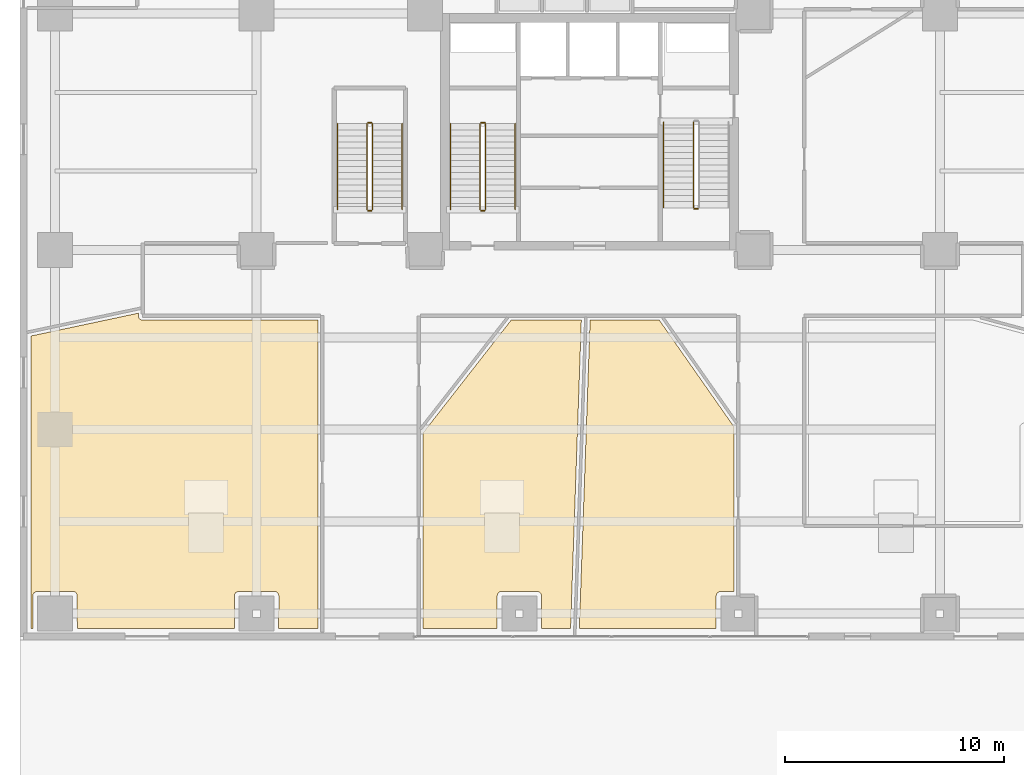
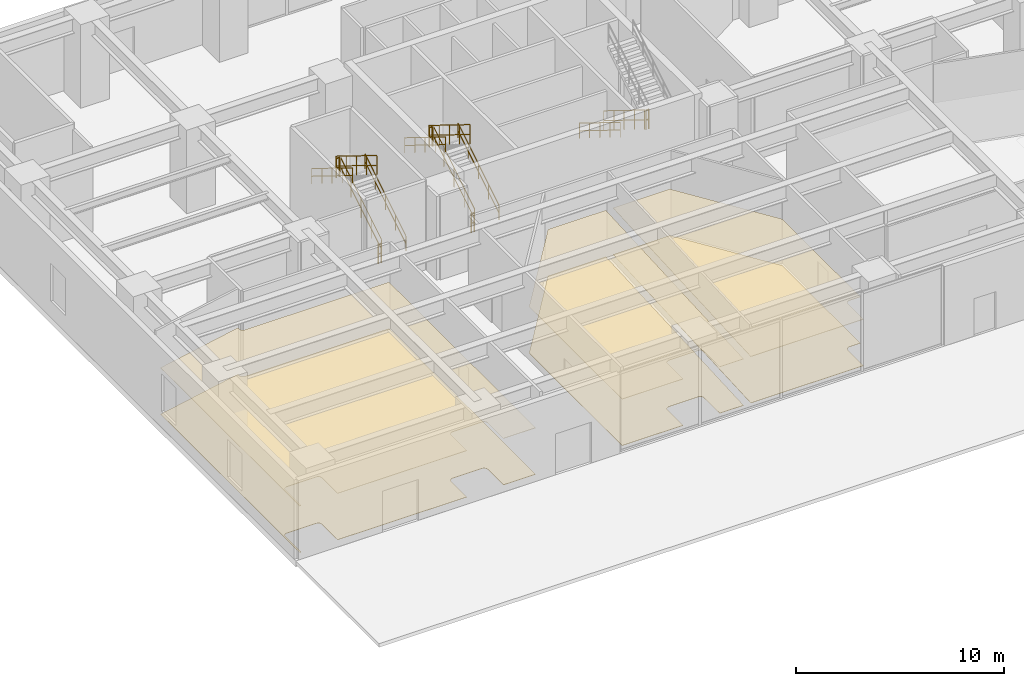
# One storey, part 24 of 28: 15 railings, 6 coverings.
"""IFC4 building model written with IfcOpenShell, lengths in metres."""

from ifc_helpers import new_model, si_unit, direction, frame, origin, origin_2d, place, context, subcontext, project, spatial, polyline, circle, outline, extrude, material, layer, layer_set, type_object, element, save


model = new_model("IFC4")

# Units and contexts
model_context = context("Model", 3, precision=1e-05, world=origin(), true_north=direction((0.0, 1.0)))
body_context = subcontext(model_context, "Body", "Model", "MODEL_VIEW")
ifc_project = project(units=[si_unit("LENGTHUNIT", "METRE"), si_unit("AREAUNIT", "SQUARE_METRE"), si_unit("VOLUMEUNIT", "CUBIC_METRE"), si_unit("PLANEANGLEUNIT", "RADIAN"), si_unit("MASSUNIT", "GRAM", prefix="KILO")], contexts=[model_context])

# Site, building, storey
site_placement = place(None, origin())
site = spatial("IfcSite", under=ifc_project, at=site_placement, CompositionType="ELEMENT")
building_placement = place(site_placement, origin())
building = spatial("IfcBuilding", under=site, at=building_placement, Name="Talar Marvaseh", CompositionType="ELEMENT")
storey_placement = place(building_placement, origin())
storey = spatial("IfcBuildingStorey", under=building, at=storey_placement, Name="L00", CompositionType="ELEMENT", Elevation=0.0)

# Railings
ifc_material_1 = material(Name="Stainless Steel Grade 316", Category="steel")
railing_type_1 = type_object("IfcRailingType", Name="Brushed Stainless Wall Pitch Handrail 900", PredefinedType="HANDRAIL", material=ifc_material_1)
railing_1_placement = place(storey_placement, frame((22.610107421875, 27.64990234375, 0.17333984375)))
element("IfcRailing", 1, at=railing_1_placement, inside=storey, type_object=railing_type_1, Name="L00 ST-1 stair handrail 1", PredefinedType="HANDRAIL", context=body_context, shape_type="SweptSolid", body=[
    extrude(circle(Radius=0.02392578125, at=origin_2d()), frame((0.0, 0.0, 0.8759765625), z_axis=(0.0, 0.850266275192, 0.526352791643), x_axis=(-1.0, 0.0, 0.0)), (0.0, 0.0, 1.0), 4.610595703125),
    extrude(circle(Radius=0.02392578125, at=origin_2d()), frame((0.0, 0.0, 0.42578125), z_axis=(0.0, 0.850266275192, 0.526352791643), x_axis=(-1.0, 0.0, 0.0)), (0.0, 0.0, 1.0), 4.610595703125),
    extrude(circle(Radius=0.02099609375, at=origin_2d()), origin(), (0.0, 0.0, 1.0), 0.851806640625),
    extrude(circle(Radius=0.02099609375, at=origin_2d()), frame((0.0, 0.97998046875, 0.606689453125)), (0.0, 0.0, 1.0), 0.851806640625),
    extrude(circle(Radius=0.02099609375, at=origin_2d()), frame((0.0, 1.9599609375, 1.21337890625)), (0.0, 0.0, 1.0), 0.851806640625),
    extrude(circle(Radius=0.02099609375, at=origin_2d()), frame((0.0, 2.940185546875, 1.820068359375)), (0.0, 0.0, 1.0), 0.851806640625),
    extrude(circle(Radius=0.02099609375, at=origin_2d()), frame((0.0, 3.920166015625, 2.4267578125)), (0.0, 0.0, 1.0), 0.851806640625),
])
railing_2_placement = place(storey_placement, frame((19.64990234375, 31.570068359375, 2.7734375)))
element("IfcRailing", 2, at=railing_2_placement, inside=storey, type_object=railing_type_1, Name="L00 ST-1 stair handrail 2", PredefinedType="HANDRAIL", context=body_context, shape_type="SweptSolid", body=[
    extrude(circle(Radius=0.02392578125, at=origin_2d()), frame((0.0, 0.0, 0.8759765625), z_axis=(0.0, -0.850289973577, 0.526314507528), x_axis=(1.0, 0.0, 0.0)), (0.0, 0.0, 1.0), 4.6103515625),
    extrude(circle(Radius=0.02392578125, at=origin_2d()), frame((0.0, 0.0, 0.42578125), z_axis=(0.0, -0.850289973577, 0.526314507528), x_axis=(1.0, 0.0, 0.0)), (0.0, 0.0, 1.0), 4.6103515625),
    extrude(circle(Radius=0.02099609375, at=origin_2d()), origin(), (0.0, 0.0, 1.0), 0.851806640625),
    extrude(circle(Radius=0.02099609375, at=origin_2d()), frame((0.0, -0.97998046875, 0.606689453125)), (0.0, 0.0, 1.0), 0.851806640625),
    extrude(circle(Radius=0.02099609375, at=origin_2d()), frame((0.0, -1.9599609375, 1.21337890625)), (0.0, 0.0, 1.0), 0.851806640625),
    extrude(circle(Radius=0.02099609375, at=origin_2d()), frame((0.0, -2.940185546875, 1.81982421875)), (0.0, 0.0, 1.0), 0.851806640625),
    extrude(circle(Radius=0.02099609375, at=origin_2d()), frame((0.0, -3.920166015625, 2.426513671875)), (0.0, 0.0, 1.0), 0.851806640625),
])
railing_3_placement = place(storey_placement, frame((29.389892578125, 31.64990234375, 0.17333984375)))
element("IfcRailing", 3, at=railing_3_placement, inside=storey, type_object=railing_type_1, Name="L00 ST-2 stair handrail 1", PredefinedType="HANDRAIL", context=body_context, shape_type="SweptSolid", body=[
    extrude(circle(Radius=0.02392578125, at=origin_2d()), frame((0.0, 0.0, 0.8759765625), z_axis=(0.0, -0.850251603719, 0.526376491091), x_axis=(1.0, 0.0, 0.0)), (0.0, 0.0, 1.0), 4.6103515625),
    extrude(circle(Radius=0.02392578125, at=origin_2d()), frame((0.0, 0.0, 0.42578125), z_axis=(0.0, -0.850251603719, 0.526376491091), x_axis=(1.0, 0.0, 0.0)), (0.0, 0.0, 1.0), 4.6103515625),
    extrude(circle(Radius=0.02099609375, at=origin_2d()), origin(), (0.0, 0.0, 1.0), 0.851806640625),
    extrude(circle(Radius=0.02099609375, at=origin_2d()), frame((0.0, -0.97998046875, 0.606689453125)), (0.0, 0.0, 1.0), 0.851806640625),
    extrude(circle(Radius=0.02099609375, at=origin_2d()), frame((0.0, -1.9599609375, 1.21337890625)), (0.0, 0.0, 1.0), 0.851806640625),
    extrude(circle(Radius=0.02099609375, at=origin_2d()), frame((0.0, -2.93994140625, 1.820068359375)), (0.0, 0.0, 1.0), 0.851806640625),
    extrude(circle(Radius=0.02099609375, at=origin_2d()), frame((0.0, -3.919921875, 2.4267578125)), (0.0, 0.0, 1.0), 0.851806640625),
])
railing_4_placement = place(storey_placement, frame((17.449951171875, 27.64990234375, 0.17333984375)))
element("IfcRailing", 4, at=railing_4_placement, inside=storey, type_object=railing_type_1, Name="L00 ST-3 stair handrail 1", PredefinedType="HANDRAIL", context=body_context, shape_type="SweptSolid", body=[
    extrude(circle(Radius=0.02392578125, at=origin_2d()), frame((0.0, 0.0, 0.8759765625), z_axis=(0.0, 0.850266275192, 0.526352791643), x_axis=(-1.0, 0.0, 0.0)), (0.0, 0.0, 1.0), 4.610595703125),
    extrude(circle(Radius=0.02392578125, at=origin_2d()), frame((0.0, 0.0, 0.42578125), z_axis=(0.0, 0.850266275192, 0.526352791643), x_axis=(-1.0, 0.0, 0.0)), (0.0, 0.0, 1.0), 4.610595703125),
    extrude(circle(Radius=0.02099609375, at=origin_2d()), origin(), (0.0, 0.0, 1.0), 0.851806640625),
    extrude(circle(Radius=0.02099609375, at=origin_2d()), frame((0.0, 0.97998046875, 0.606689453125)), (0.0, 0.0, 1.0), 0.851806640625),
    extrude(circle(Radius=0.02099609375, at=origin_2d()), frame((0.0, 1.9599609375, 1.21337890625)), (0.0, 0.0, 1.0), 0.851806640625),
    extrude(circle(Radius=0.02099609375, at=origin_2d()), frame((0.0, 2.940185546875, 1.820068359375)), (0.0, 0.0, 1.0), 0.851806640625),
    extrude(circle(Radius=0.02099609375, at=origin_2d()), frame((0.0, 3.920166015625, 2.4267578125)), (0.0, 0.0, 1.0), 0.851806640625),
])
railing_5_placement = place(storey_placement, frame((14.489990234375, 31.570068359375, 2.7734375)))
element("IfcRailing", 5, at=railing_5_placement, inside=storey, type_object=railing_type_1, Name="L00 ST-3 stair handrail 2", PredefinedType="HANDRAIL", context=body_context, shape_type="SweptSolid", body=[
    extrude(circle(Radius=0.02392578125, at=origin_2d()), frame((0.0, 0.0, 0.8759765625), z_axis=(0.0, -0.850289973577, 0.526314507528), x_axis=(1.0, 0.0, 0.0)), (0.0, 0.0, 1.0), 4.6103515625),
    extrude(circle(Radius=0.02392578125, at=origin_2d()), frame((0.0, 0.0, 0.42578125), z_axis=(0.0, -0.850289973577, 0.526314507528), x_axis=(1.0, 0.0, 0.0)), (0.0, 0.0, 1.0), 4.6103515625),
    extrude(circle(Radius=0.02099609375, at=origin_2d()), origin(), (0.0, 0.0, 1.0), 0.851806640625),
    extrude(circle(Radius=0.02099609375, at=origin_2d()), frame((0.0, -0.97998046875, 0.606689453125)), (0.0, 0.0, 1.0), 0.851806640625),
    extrude(circle(Radius=0.02099609375, at=origin_2d()), frame((0.0, -1.9599609375, 1.21337890625)), (0.0, 0.0, 1.0), 0.851806640625),
    extrude(circle(Radius=0.02099609375, at=origin_2d()), frame((0.0, -2.940185546875, 1.81982421875)), (0.0, 0.0, 1.0), 0.851806640625),
    extrude(circle(Radius=0.02099609375, at=origin_2d()), frame((0.0, -3.920166015625, 2.426513671875)), (0.0, 0.0, 1.0), 0.851806640625),
])
railing_type_2 = type_object("IfcRailingType", Name="Painted Steel Core Stair Well Guardrail 1150", PredefinedType="GUARDRAIL", material=ifc_material_1)
railing_6_placement = place(storey_placement, frame((21.260009765625, 27.64990234375, 0.17333984375)))
element("IfcRailing", 6, at=railing_6_placement, inside=storey, type_object=railing_type_2, Name="L00 ST-1 stair guard 1", PredefinedType="GUARDRAIL", context=body_context, shape_type="SweptSolid", body=[
    extrude(circle(Radius=0.02392578125, at=origin_2d()), frame((0.0, 0.0, 1.1259765625), z_axis=(0.0, 0.850266275192, 0.526352791643), x_axis=(-1.0, 0.0, 0.0)), (0.0, 0.0, 1.0), 4.610595703125),
    extrude(circle(Radius=0.02392578125, at=origin_2d()), frame((0.0, 0.0, 0.55078125), z_axis=(0.0, 0.850266275192, 0.526352791643), x_axis=(-1.0, 0.0, 0.0)), (0.0, 0.0, 1.0), 4.610595703125),
    extrude(circle(Radius=0.02099609375, at=origin_2d()), origin(), (0.0, 0.0, 1.0), 1.101806640625),
    extrude(circle(Radius=0.02099609375, at=origin_2d()), frame((0.0, 0.97998046875, 0.606689453125)), (0.0, 0.0, 1.0), 1.101806640625),
    extrude(circle(Radius=0.02099609375, at=origin_2d()), frame((0.0, 1.9599609375, 1.21337890625)), (0.0, 0.0, 1.0), 1.101806640625),
    extrude(circle(Radius=0.02099609375, at=origin_2d()), frame((0.0, 2.940185546875, 1.820068359375)), (0.0, 0.0, 1.0), 1.101806640625),
    extrude(circle(Radius=0.02099609375, at=origin_2d()), frame((0.0, 3.920166015625, 2.4267578125)), (0.0, 0.0, 1.0), 1.101806640625),
])
railing_7_placement = place(storey_placement, frame((21.2099609375, 31.6201171875, 2.60009765625)))
element("IfcRailing", 7, at=railing_7_placement, inside=storey, type_object=railing_type_2, Name="L00 ST-1 stair guard 2", PredefinedType="GUARDRAIL", context=body_context, shape_type="SweptSolid", body=[
    extrude(circle(Radius=0.02392578125, at=origin_2d()), frame((0.0, 0.0, 1.1259765625), z_axis=(-1.0, 0.0, 0.0), x_axis=(0.0, -1.0, 0.0)), (0.0, 0.0, 1.0), 0.159912109375),
    extrude(circle(Radius=0.02392578125, at=origin_2d()), frame((0.0, 0.0, 0.55078125), z_axis=(-1.0, 0.0, 0.0), x_axis=(0.0, -1.0, 0.0)), (0.0, 0.0, 1.0), 0.159912109375),
    extrude(circle(Radius=0.02099609375, at=origin_2d()), origin(), (0.0, 0.0, 1.0), 1.101806640625),
    extrude(circle(Radius=0.02099609375, at=origin_2d()), frame((-0.159912109375, 0.0, 0.0)), (0.0, 0.0, 1.0), 1.101806640625),
])
railing_8_placement = place(storey_placement, frame((21.0, 31.570068359375, 2.7734375)))
element("IfcRailing", 8, at=railing_8_placement, inside=storey, type_object=railing_type_2, Name="L00 ST-1 stair guard 3", PredefinedType="GUARDRAIL", context=body_context, shape_type="SweptSolid", body=[
    extrude(circle(Radius=0.02392578125, at=origin_2d()), frame((0.0, 0.0, 1.1259765625), z_axis=(0.0, -0.850289973577, 0.526314507528), x_axis=(1.0, 0.0, 0.0)), (0.0, 0.0, 1.0), 4.6103515625),
    extrude(circle(Radius=0.02392578125, at=origin_2d()), frame((0.0, 0.0, 0.55078125), z_axis=(0.0, -0.850289973577, 0.526314507528), x_axis=(1.0, 0.0, 0.0)), (0.0, 0.0, 1.0), 4.6103515625),
    extrude(circle(Radius=0.02099609375, at=origin_2d()), origin(), (0.0, 0.0, 1.0), 1.101806640625),
    extrude(circle(Radius=0.02099609375, at=origin_2d()), frame((0.0, -0.97998046875, 0.606689453125)), (0.0, 0.0, 1.0), 1.101806640625),
    extrude(circle(Radius=0.02099609375, at=origin_2d()), frame((0.0, -1.9599609375, 1.21337890625)), (0.0, 0.0, 1.0), 1.101806640625),
    extrude(circle(Radius=0.02099609375, at=origin_2d()), frame((0.0, -2.940185546875, 1.81982421875)), (0.0, 0.0, 1.0), 1.101806640625),
    extrude(circle(Radius=0.02099609375, at=origin_2d()), frame((0.0, -3.920166015625, 2.426513671875)), (0.0, 0.0, 1.0), 1.101806640625),
])
railing_9_placement = place(storey_placement, frame((21.2099609375, 27.60009765625, 0.0)))
element("IfcRailing", 9, at=railing_9_placement, inside=storey, type_object=railing_type_2, Name="L00 ST-1 stair guard 4", PredefinedType="GUARDRAIL", context=body_context, shape_type="SweptSolid", body=[
    extrude(circle(Radius=0.02392578125, at=origin_2d()), frame((0.0, 0.0, 1.1259765625), z_axis=(-1.0, 0.0, 0.0), x_axis=(0.0, -1.0, 0.0)), (0.0, 0.0, 1.0), 0.159912109375),
    extrude(circle(Radius=0.02392578125, at=origin_2d()), frame((0.0, 0.0, 0.55078125), z_axis=(-1.0, 0.0, 0.0), x_axis=(0.0, -1.0, 0.0)), (0.0, 0.0, 1.0), 0.159912109375),
    extrude(circle(Radius=0.02099609375, at=origin_2d()), origin(), (0.0, 0.0, 1.0), 1.101806640625),
    extrude(circle(Radius=0.02099609375, at=origin_2d()), frame((-0.159912109375, 0.0, 0.0)), (0.0, 0.0, 1.0), 1.101806640625),
])
railing_10_placement = place(storey_placement, frame((30.739990234375, 31.64990234375, 0.17333984375)))
element("IfcRailing", 10, at=railing_10_placement, inside=storey, type_object=railing_type_2, Name="L00 ST-2 stair guard 1", PredefinedType="GUARDRAIL", context=body_context, shape_type="SweptSolid", body=[
    extrude(circle(Radius=0.02392578125, at=origin_2d()), frame((0.0, 0.0, 1.1259765625), z_axis=(0.0, -0.850251603719, 0.526376491091), x_axis=(1.0, 0.0, 0.0)), (0.0, 0.0, 1.0), 4.6103515625),
    extrude(circle(Radius=0.02392578125, at=origin_2d()), frame((0.0, 0.0, 0.55078125), z_axis=(0.0, -0.850251603719, 0.526376491091), x_axis=(1.0, 0.0, 0.0)), (0.0, 0.0, 1.0), 4.6103515625),
    extrude(circle(Radius=0.02099609375, at=origin_2d()), origin(), (0.0, 0.0, 1.0), 1.101806640625),
    extrude(circle(Radius=0.02099609375, at=origin_2d()), frame((0.0, -0.97998046875, 0.606689453125)), (0.0, 0.0, 1.0), 1.101806640625),
    extrude(circle(Radius=0.02099609375, at=origin_2d()), frame((0.0, -1.9599609375, 1.21337890625)), (0.0, 0.0, 1.0), 1.101806640625),
    extrude(circle(Radius=0.02099609375, at=origin_2d()), frame((0.0, -2.93994140625, 1.820068359375)), (0.0, 0.0, 1.0), 1.101806640625),
    extrude(circle(Radius=0.02099609375, at=origin_2d()), frame((0.0, -3.919921875, 2.4267578125)), (0.0, 0.0, 1.0), 1.101806640625),
])
railing_11_placement = place(storey_placement, frame((30.7900390625, 27.679931640625, 2.60009765625)))
element("IfcRailing", 11, at=railing_11_placement, inside=storey, type_object=railing_type_2, Name="L00 ST-2 stair guard 2", PredefinedType="GUARDRAIL", context=body_context, shape_type="SweptSolid", body=[
    extrude(circle(Radius=0.02392578125, at=origin_2d()), frame((0.0, 0.0, 1.1259765625), z_axis=(1.0, 0.0, 0.0), x_axis=(0.0, 1.0, 0.0)), (0.0, 0.0, 1.0), 0.159912109375),
    extrude(circle(Radius=0.02392578125, at=origin_2d()), frame((0.0, 0.0, 0.55078125), z_axis=(1.0, 0.0, 0.0), x_axis=(0.0, 1.0, 0.0)), (0.0, 0.0, 1.0), 0.159912109375),
    extrude(circle(Radius=0.02099609375, at=origin_2d()), origin(), (0.0, 0.0, 1.0), 1.101806640625),
    extrude(circle(Radius=0.02099609375, at=origin_2d()), frame((0.159912109375, 0.0, 0.0)), (0.0, 0.0, 1.0), 1.101806640625),
])
railing_12_placement = place(storey_placement, frame((16.10009765625, 27.64990234375, 0.17333984375)))
element("IfcRailing", 12, at=railing_12_placement, inside=storey, type_object=railing_type_2, Name="L00 ST-3 stair guard 1", PredefinedType="GUARDRAIL", context=body_context, shape_type="SweptSolid", body=[
    extrude(circle(Radius=0.02392578125, at=origin_2d()), frame((0.0, 0.0, 1.1259765625), z_axis=(0.0, 0.850266275192, 0.526352791643), x_axis=(-1.0, 0.0, 0.0)), (0.0, 0.0, 1.0), 4.610595703125),
    extrude(circle(Radius=0.02392578125, at=origin_2d()), frame((0.0, 0.0, 0.55078125), z_axis=(0.0, 0.850266275192, 0.526352791643), x_axis=(-1.0, 0.0, 0.0)), (0.0, 0.0, 1.0), 4.610595703125),
    extrude(circle(Radius=0.02099609375, at=origin_2d()), origin(), (0.0, 0.0, 1.0), 1.101806640625),
    extrude(circle(Radius=0.02099609375, at=origin_2d()), frame((0.0, 0.97998046875, 0.606689453125)), (0.0, 0.0, 1.0), 1.101806640625),
    extrude(circle(Radius=0.02099609375, at=origin_2d()), frame((0.0, 1.9599609375, 1.21337890625)), (0.0, 0.0, 1.0), 1.101806640625),
    extrude(circle(Radius=0.02099609375, at=origin_2d()), frame((0.0, 2.940185546875, 1.820068359375)), (0.0, 0.0, 1.0), 1.101806640625),
    extrude(circle(Radius=0.02099609375, at=origin_2d()), frame((0.0, 3.920166015625, 2.4267578125)), (0.0, 0.0, 1.0), 1.101806640625),
])
railing_13_placement = place(storey_placement, frame((16.050048828125, 31.6201171875, 2.60009765625)))
element("IfcRailing", 13, at=railing_13_placement, inside=storey, type_object=railing_type_2, Name="L00 ST-3 stair guard 2", PredefinedType="GUARDRAIL", context=body_context, shape_type="SweptSolid", body=[
    extrude(circle(Radius=0.02392578125, at=origin_2d()), frame((0.0, 0.0, 1.1259765625), z_axis=(-1.0, 0.0, 0.0), x_axis=(0.0, -1.0, 0.0)), (0.0, 0.0, 1.0), 0.16015625),
    extrude(circle(Radius=0.02392578125, at=origin_2d()), frame((0.0, 0.0, 0.55078125), z_axis=(-1.0, 0.0, 0.0), x_axis=(0.0, -1.0, 0.0)), (0.0, 0.0, 1.0), 0.16015625),
    extrude(circle(Radius=0.02099609375, at=origin_2d()), origin(), (0.0, 0.0, 1.0), 1.101806640625),
    extrude(circle(Radius=0.02099609375, at=origin_2d()), frame((-0.16015625, 0.0, 0.0)), (0.0, 0.0, 1.0), 1.101806640625),
])
railing_14_placement = place(storey_placement, frame((15.840087890625, 31.570068359375, 2.7734375)))
element("IfcRailing", 14, at=railing_14_placement, inside=storey, type_object=railing_type_2, Name="L00 ST-3 stair guard 3", PredefinedType="GUARDRAIL", context=body_context, shape_type="SweptSolid", body=[
    extrude(circle(Radius=0.02392578125, at=origin_2d()), frame((0.0, 0.0, 1.1259765625), z_axis=(0.0, -0.850289973577, 0.526314507528), x_axis=(1.0, 0.0, 0.0)), (0.0, 0.0, 1.0), 4.6103515625),
    extrude(circle(Radius=0.02392578125, at=origin_2d()), frame((0.0, 0.0, 0.55078125), z_axis=(0.0, -0.850289973577, 0.526314507528), x_axis=(1.0, 0.0, 0.0)), (0.0, 0.0, 1.0), 4.6103515625),
    extrude(circle(Radius=0.02099609375, at=origin_2d()), origin(), (0.0, 0.0, 1.0), 1.101806640625),
    extrude(circle(Radius=0.02099609375, at=origin_2d()), frame((0.0, -0.97998046875, 0.606689453125)), (0.0, 0.0, 1.0), 1.101806640625),
    extrude(circle(Radius=0.02099609375, at=origin_2d()), frame((0.0, -1.9599609375, 1.21337890625)), (0.0, 0.0, 1.0), 1.101806640625),
    extrude(circle(Radius=0.02099609375, at=origin_2d()), frame((0.0, -2.940185546875, 1.81982421875)), (0.0, 0.0, 1.0), 1.101806640625),
    extrude(circle(Radius=0.02099609375, at=origin_2d()), frame((0.0, -3.920166015625, 2.426513671875)), (0.0, 0.0, 1.0), 1.101806640625),
])
railing_15_placement = place(storey_placement, frame((16.050048828125, 27.60009765625, 0.0)))
element("IfcRailing", 15, at=railing_15_placement, inside=storey, type_object=railing_type_2, Name="L00 ST-3 stair guard 4", PredefinedType="GUARDRAIL", context=body_context, shape_type="SweptSolid", body=[
    extrude(circle(Radius=0.02392578125, at=origin_2d()), frame((0.0, 0.0, 1.1259765625), z_axis=(-1.0, 0.0, 0.0), x_axis=(0.0, -1.0, 0.0)), (0.0, 0.0, 1.0), 0.16015625),
    extrude(circle(Radius=0.02392578125, at=origin_2d()), frame((0.0, 0.0, 0.55078125), z_axis=(-1.0, 0.0, 0.0), x_axis=(0.0, -1.0, 0.0)), (0.0, 0.0, 1.0), 0.16015625),
    extrude(circle(Radius=0.02099609375, at=origin_2d()), origin(), (0.0, 0.0, 1.0), 1.101806640625),
    extrude(circle(Radius=0.02099609375, at=origin_2d()), frame((-0.16015625, 0.0, 0.0)), (0.0, 0.0, 1.0), 1.101806640625),
])

# Coverings
ifc_material_2 = material(Name="Mineral Fibre Acoustic Ceiling")
ifc_layer_1 = layer(ifc_material_2, 0.02490234375)
ifc_layer_set_1 = layer_set([ifc_layer_1], Name="Mineral Fibre Acoustic Ceiling")
covering_type_1 = type_object("IfcCoveringType", Name="Perforated Mineral Fibre Acoustic Suspended Ceiling", PredefinedType="CEILING", material=ifc_layer_set_1)
covering_1_placement = place(storey_placement, frame((0.0, 0.0, 2.719970703125)))
element("IfcCovering", 16, at=covering_1_placement, inside=storey, type_object=covering_type_1, Name="L00 Metro Station Ground Concourse Acoustic Ceiling", PredefinedType="CEILING", context=body_context, shape_type="SweptSolid", body=[
    extrude(outline(polyline([(5.39990234375, 22.916748046875), (5.39990234375, 22.800048828125), (5.40087890625, 22.780517578125), (5.40380859375, 22.760986328125), (5.40869140625, 22.741943359375), (5.415283203125, 22.723388671875), (5.423583984375, 22.705810546875), (5.43359375, 22.68896484375), (5.4453125, 22.673095703125), (5.45849609375, 22.65869140625), (5.47314453125, 22.6455078125), (5.489013671875, 22.6337890625), (5.505615234375, 22.62353515625), (5.5234375, 22.615234375), (5.5419921875, 22.608642578125), (5.56103515625, 22.603759765625), (5.580322265625, 22.60107421875), (5.60009765625, 22.60009765625), (13.60009765625, 22.60009765625), (13.60009765625, 8.510009765625), (11.81201171875, 8.510009765625), (11.81494140625, 9.99951171875), (11.814208984375, 10.017578125), (11.811767578125, 10.035400390625), (11.807861328125, 10.052978515625), (11.80224609375, 10.0703125), (11.795166015625, 10.0869140625), (11.78662109375, 10.102783203125), (11.77880859375, 10.115966796875), (11.76708984375, 10.133056640625), (11.754150390625, 10.14892578125), (11.7392578125, 10.1630859375), (11.72314453125, 10.176025390625), (11.705810546875, 10.18701171875), (11.6875, 10.1962890625), (11.668212890625, 10.20361328125), (11.648193359375, 10.208984375), (11.6279296875, 10.212158203125), (11.607421875, 10.213134765625), (10.000244140625, 10.215087890625), (9.982421875, 10.214111328125), (9.96484375, 10.2119140625), (9.947509765625, 10.2080078125), (9.9306640625, 10.20263671875), (9.914306640625, 10.19580078125), (9.902587890625, 10.190185546875), (9.884765625, 10.180419921875), (9.86767578125, 10.1689453125), (9.85205078125, 10.15576171875), (9.837890625, 10.14111328125), (9.8251953125, 10.125), (9.814208984375, 10.107666015625), (9.804931640625, 10.08935546875), (9.7978515625, 10.070068359375), (9.79248046875, 10.05029296875), (9.78955078125, 10.030029296875), (9.788330078125, 10.009521484375), (9.78759765625, 8.510009765625), (2.61474609375, 8.510009765625), (2.610595703125, 10.010986328125), (2.609619140625, 10.03076171875), (2.606689453125, 10.050048828125), (2.601806640625, 10.069091796875), (2.59521484375, 10.08740234375), (2.5869140625, 10.105224609375), (2.57666015625, 10.1220703125), (2.56494140625, 10.1376953125), (2.5517578125, 10.152099609375), (2.537353515625, 10.165283203125), (2.521484375, 10.177001953125), (2.504638671875, 10.18701171875), (2.487060546875, 10.1953125), (2.468505859375, 10.201904296875), (2.44970703125, 10.206787109375), (2.43017578125, 10.209716796875), (2.41064453125, 10.210693359375), (0.789306640625, 10.210693359375), (0.769775390625, 10.209716796875), (0.75048828125, 10.206787109375), (0.731201171875, 10.201904296875), (0.712890625, 10.1953125), (0.695068359375, 10.18701171875), (0.67822265625, 10.177001953125), (0.66259765625, 10.165283203125), (0.64794921875, 10.152099609375), (0.634765625, 10.137451171875), (0.623046875, 10.12158203125), (0.613037109375, 10.10498046875), (0.6044921875, 10.087158203125), (0.597900390625, 10.068603515625), (0.59326171875, 10.049560546875), (0.59033203125, 10.0302734375), (0.58935546875, 10.010498046875), (0.58935546875, 8.510009765625), (0.510009765625, 8.510009765625), (0.510009765625, 21.87744140625), (5.39990234375, 22.916748046875)])), origin(), (0.0, 0.0, 1.0), 0.025146484375),
])
covering_2_placement = place(storey_placement, frame((0.0, 0.0, 2.719970703125)))
element("IfcCovering", 17, at=covering_2_placement, inside=storey, type_object=covering_type_1, Name="L00 Fire Command and Control Room Acoustic Ceiling", PredefinedType="CEILING", context=body_context, shape_type="SweptSolid", body=[
    extrude(outline(polyline([(18.39990234375, 17.447509765625), (22.425537109375, 22.60009765625), (25.62890625, 22.60009765625), (25.13671875, 8.510009765625), (23.814697265625, 8.510009765625), (23.810546875, 10.010986328125), (23.8095703125, 10.03076171875), (23.806640625, 10.050048828125), (23.802001953125, 10.069091796875), (23.795166015625, 10.08740234375), (23.786865234375, 10.105224609375), (23.776611328125, 10.1220703125), (23.764892578125, 10.1376953125), (23.751708984375, 10.152099609375), (23.7373046875, 10.165283203125), (23.721435546875, 10.177001953125), (23.70458984375, 10.18701171875), (23.68701171875, 10.1953125), (23.668701171875, 10.201904296875), (23.649658203125, 10.206787109375), (23.630126953125, 10.209716796875), (23.610595703125, 10.210693359375), (21.989501953125, 10.210693359375), (21.9697265625, 10.209716796875), (21.950439453125, 10.206787109375), (21.931396484375, 10.201904296875), (21.912841796875, 10.1953125), (21.89501953125, 10.18701171875), (21.87841796875, 10.177001953125), (21.862548828125, 10.165283203125), (21.847900390625, 10.152099609375), (21.834716796875, 10.137451171875), (21.822998046875, 10.12158203125), (21.81298828125, 10.10498046875), (21.8046875, 10.087158203125), (21.798095703125, 10.068603515625), (21.793212890625, 10.049560546875), (21.790283203125, 10.0302734375), (21.789306640625, 10.010498046875), (21.789306640625, 8.510009765625), (18.39990234375, 8.510009765625), (18.39990234375, 17.447509765625)])), origin(), (0.0, 0.0, 1.0), 0.025146484375),
])
covering_3_placement = place(storey_placement, frame((0.0, 0.0, 2.719970703125)))
element("IfcCovering", 18, at=covering_3_placement, inside=storey, type_object=covering_type_1, Name="L00 Museum Ticketing and Cloakroom Hall Acoustic Ceiling", PredefinedType="CEILING", context=body_context, shape_type="SweptSolid", body=[
    extrude(outline(polyline([(26.029052734375, 22.60009765625), (29.18701171875, 22.60009765625), (32.60009765625, 17.7255859375), (32.60009765625, 10.215087890625), (32.0, 10.215087890625), (31.98046875, 10.214111328125), (31.9609375, 10.211181640625), (31.94189453125, 10.206298828125), (31.923583984375, 10.19970703125), (31.90576171875, 10.19140625), (31.888916015625, 10.181396484375), (31.873046875, 10.169677734375), (31.858642578125, 10.156494140625), (31.843505859375, 10.141357421875), (31.830322265625, 10.126953125), (31.818603515625, 10.111083984375), (31.80859375, 10.09423828125), (31.80029296875, 10.076416015625), (31.793701171875, 10.057861328125), (31.788818359375, 10.038818359375), (31.785888671875, 10.019287109375), (31.784912109375, 9.999755859375), (31.78662109375, 8.510009765625), (25.537109375, 8.510009765625), (26.029052734375, 22.60009765625)])), origin(), (0.0, 0.0, 1.0), 0.025146484375),
])
ifc_material_3 = material(Name="Porcelain Stoneware Tile", Category="masonry")
ifc_layer_2 = layer(ifc_material_3, 0.02001953125)
ifc_layer_set_2 = layer_set([ifc_layer_2], Name="Porcelain Stoneware Tile")
covering_type_2 = type_object("IfcCoveringType", Name="Polished Porcelain Stoneware Gallery Flooring", PredefinedType="FLOORING", material=ifc_layer_set_2)
covering_4_placement = place(storey_placement, origin())
element("IfcCovering", 19, at=covering_4_placement, inside=storey, type_object=covering_type_2, Name="L00 Metro Station Ground Concourse Flooring", PredefinedType="FLOORING", context=body_context, shape_type="SweptSolid", body=[
    extrude(outline(polyline([(5.39990234375, 22.916748046875), (5.39990234375, 22.800048828125), (5.40087890625, 22.780517578125), (5.40380859375, 22.760986328125), (5.40869140625, 22.741943359375), (5.415283203125, 22.723388671875), (5.423583984375, 22.705810546875), (5.43359375, 22.68896484375), (5.4453125, 22.673095703125), (5.45849609375, 22.65869140625), (5.47314453125, 22.6455078125), (5.489013671875, 22.6337890625), (5.505615234375, 22.62353515625), (5.5234375, 22.615234375), (5.5419921875, 22.608642578125), (5.56103515625, 22.603759765625), (5.580322265625, 22.60107421875), (5.60009765625, 22.60009765625), (13.60009765625, 22.60009765625), (13.60009765625, 8.510009765625), (11.81201171875, 8.510009765625), (11.81494140625, 9.99951171875), (11.814208984375, 10.017578125), (11.811767578125, 10.035400390625), (11.807861328125, 10.052978515625), (11.80224609375, 10.0703125), (11.795166015625, 10.0869140625), (11.78662109375, 10.102783203125), (11.77880859375, 10.115966796875), (11.76708984375, 10.133056640625), (11.754150390625, 10.14892578125), (11.7392578125, 10.1630859375), (11.72314453125, 10.176025390625), (11.705810546875, 10.18701171875), (11.6875, 10.1962890625), (11.668212890625, 10.20361328125), (11.648193359375, 10.208984375), (11.6279296875, 10.212158203125), (11.607421875, 10.213134765625), (10.000244140625, 10.215087890625), (9.982421875, 10.214111328125), (9.96484375, 10.2119140625), (9.947509765625, 10.2080078125), (9.9306640625, 10.20263671875), (9.914306640625, 10.19580078125), (9.902587890625, 10.190185546875), (9.884765625, 10.180419921875), (9.86767578125, 10.1689453125), (9.85205078125, 10.15576171875), (9.837890625, 10.14111328125), (9.8251953125, 10.125), (9.814208984375, 10.107666015625), (9.804931640625, 10.08935546875), (9.7978515625, 10.070068359375), (9.79248046875, 10.05029296875), (9.78955078125, 10.030029296875), (9.788330078125, 10.009521484375), (9.78759765625, 8.510009765625), (2.61474609375, 8.510009765625), (2.610595703125, 10.010986328125), (2.609619140625, 10.03076171875), (2.606689453125, 10.050048828125), (2.601806640625, 10.069091796875), (2.59521484375, 10.08740234375), (2.5869140625, 10.105224609375), (2.57666015625, 10.1220703125), (2.56494140625, 10.1376953125), (2.5517578125, 10.152099609375), (2.537353515625, 10.165283203125), (2.521484375, 10.177001953125), (2.504638671875, 10.18701171875), (2.487060546875, 10.1953125), (2.468505859375, 10.201904296875), (2.44970703125, 10.206787109375), (2.43017578125, 10.209716796875), (2.41064453125, 10.210693359375), (0.789306640625, 10.210693359375), (0.769775390625, 10.209716796875), (0.75048828125, 10.206787109375), (0.731201171875, 10.201904296875), (0.712890625, 10.1953125), (0.695068359375, 10.18701171875), (0.67822265625, 10.177001953125), (0.66259765625, 10.165283203125), (0.64794921875, 10.152099609375), (0.634765625, 10.137451171875), (0.623046875, 10.12158203125), (0.613037109375, 10.10498046875), (0.6044921875, 10.087158203125), (0.597900390625, 10.068603515625), (0.59326171875, 10.049560546875), (0.59033203125, 10.0302734375), (0.58935546875, 10.010498046875), (0.58935546875, 8.510009765625), (0.510009765625, 8.510009765625), (0.510009765625, 21.87744140625), (5.39990234375, 22.916748046875)])), origin(), (0.0, 0.0, 1.0), 0.02001953125),
])
covering_5_placement = place(storey_placement, origin())
element("IfcCovering", 20, at=covering_5_placement, inside=storey, type_object=covering_type_2, Name="L00 Fire Command and Control Room Flooring", PredefinedType="FLOORING", context=body_context, shape_type="SweptSolid", body=[
    extrude(outline(polyline([(18.39990234375, 17.447509765625), (22.425537109375, 22.60009765625), (25.62890625, 22.60009765625), (25.13671875, 8.510009765625), (23.814697265625, 8.510009765625), (23.810546875, 10.010986328125), (23.8095703125, 10.03076171875), (23.806640625, 10.050048828125), (23.802001953125, 10.069091796875), (23.795166015625, 10.08740234375), (23.786865234375, 10.105224609375), (23.776611328125, 10.1220703125), (23.764892578125, 10.1376953125), (23.751708984375, 10.152099609375), (23.7373046875, 10.165283203125), (23.721435546875, 10.177001953125), (23.70458984375, 10.18701171875), (23.68701171875, 10.1953125), (23.668701171875, 10.201904296875), (23.649658203125, 10.206787109375), (23.630126953125, 10.209716796875), (23.610595703125, 10.210693359375), (21.989501953125, 10.210693359375), (21.9697265625, 10.209716796875), (21.950439453125, 10.206787109375), (21.931396484375, 10.201904296875), (21.912841796875, 10.1953125), (21.89501953125, 10.18701171875), (21.87841796875, 10.177001953125), (21.862548828125, 10.165283203125), (21.847900390625, 10.152099609375), (21.834716796875, 10.137451171875), (21.822998046875, 10.12158203125), (21.81298828125, 10.10498046875), (21.8046875, 10.087158203125), (21.798095703125, 10.068603515625), (21.793212890625, 10.049560546875), (21.790283203125, 10.0302734375), (21.789306640625, 10.010498046875), (21.789306640625, 8.510009765625), (18.39990234375, 8.510009765625), (18.39990234375, 17.447509765625)])), origin(), (0.0, 0.0, 1.0), 0.02001953125),
])
covering_6_placement = place(storey_placement, origin())
element("IfcCovering", 21, at=covering_6_placement, inside=storey, type_object=covering_type_2, Name="L00 Museum Ticketing and Cloakroom Hall Flooring", PredefinedType="FLOORING", context=body_context, shape_type="SweptSolid", body=[
    extrude(outline(polyline([(26.029052734375, 22.60009765625), (29.18701171875, 22.60009765625), (32.60009765625, 17.7255859375), (32.60009765625, 10.215087890625), (32.0, 10.215087890625), (31.98046875, 10.214111328125), (31.9609375, 10.211181640625), (31.94189453125, 10.206298828125), (31.923583984375, 10.19970703125), (31.90576171875, 10.19140625), (31.888916015625, 10.181396484375), (31.873046875, 10.169677734375), (31.858642578125, 10.156494140625), (31.843505859375, 10.141357421875), (31.830322265625, 10.126953125), (31.818603515625, 10.111083984375), (31.80859375, 10.09423828125), (31.80029296875, 10.076416015625), (31.793701171875, 10.057861328125), (31.788818359375, 10.038818359375), (31.785888671875, 10.019287109375), (31.784912109375, 9.999755859375), (31.78662109375, 8.510009765625), (25.537109375, 8.510009765625), (26.029052734375, 22.60009765625)])), origin(), (0.0, 0.0, 1.0), 0.02001953125),
])

save(model, "model.ifc")
